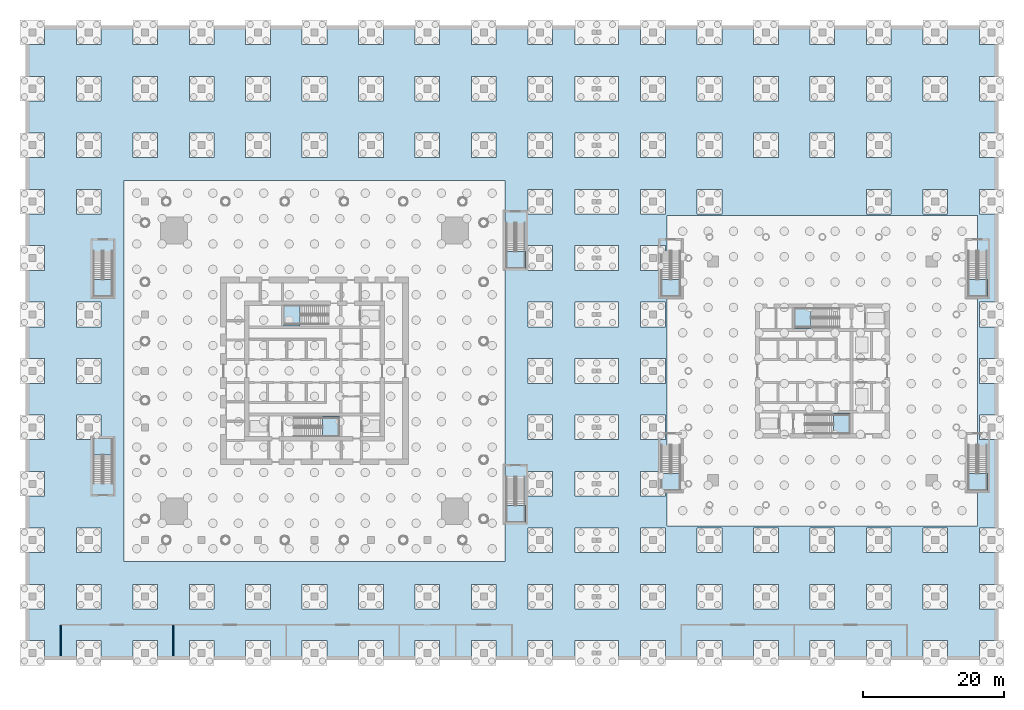
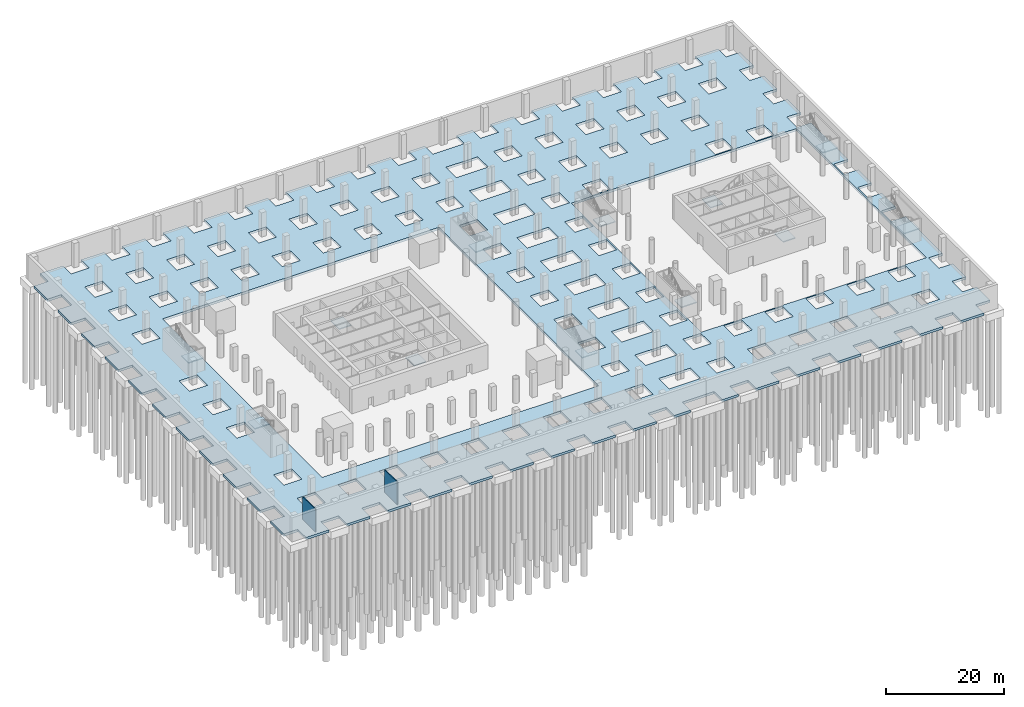
# One storey, part 9 of 24: 13 slabs, 2 walls, 12 elements without a shape of their own.
"""IFC4 building model written with IfcOpenShell, lengths in metres."""

import ifcopenshell
import ifcopenshell.guid

model = None  # the IFC model being written
_history = None  # IfcOwnerHistory: only IFC2X3 demands one
_inside = {}  # id of a spatial element -> (the spatial element, [elements in it])
_under = {}  # id of a project, library or spatial element -> (it, [spatial elements below it])
_declared = {}  # id of a project -> (the project, [libraries it declares])
_typed = {}  # id of a type object -> (the type object, [elements of that type])
_made_of = {}  # id of a material, layer set ... -> (it, [elements and type objects made of it])


def new_model(schema):
    """Start an empty IFC model of exactly this schema.

    Asked for "IFC4X3", IfcOpenShell would pick the latest addendum, in which some entities
    have other attributes; the version numbers below select the first issue.
    IFC2X3 requires an IfcOwnerHistory on every rooted entity: one is made here for all.
    """
    global model, _history
    if schema == "IFC4X3":
        model = ifcopenshell.file(schema_version=(4, 3, 0, 0))
    else:
        model = ifcopenshell.file(schema=schema)
    _inside.clear()
    _under.clear()
    _declared.clear()
    _typed.clear()
    _made_of.clear()
    _history = None
    if model.schema == "IFC2X3":
        org = make("IfcOrganization", Name="unknown")
        user = make(
            "IfcPersonAndOrganization",
            ThePerson=make("IfcPerson", FamilyName="unknown"),
            TheOrganization=org,
        )
        app = make(
            "IfcApplication",
            ApplicationDeveloper=org,
            Version="unknown",
            ApplicationFullName="unknown",
            ApplicationIdentifier="unknown",
        )
        _history = make(
            "IfcOwnerHistory",
            OwningUser=user,
            OwningApplication=app,
            ChangeAction="ADDED",
            CreationDate=0,
        )
    return model


def make(cls, **values):
    """One entity of the class cls with the attributes given. An attribute that is None is left unset."""
    return model.create_entity(
        cls, **{name: value for name, value in values.items() if value is not None}
    )


def rooted(cls, **values):
    """An entity with a GlobalId (a new one), such as an element, a storey or a relation."""
    return make(cls, GlobalId=ifcopenshell.guid.new(), OwnerHistory=_history, **values)


def si_unit(unit_type, name, prefix=None):
    """IfcSIUnit, for example si_unit("LENGTHUNIT", "METRE", prefix="MILLI")."""
    return make("IfcSIUnit", UnitType=unit_type, Prefix=prefix, Name=name)


def assignment(units):
    """IfcUnitAssignment: the units of a project."""
    return None if units is None else make("IfcUnitAssignment", Units=units)


def point(xyz):
    """IfcCartesianPoint."""
    return None if xyz is None else make("IfcCartesianPoint", Coordinates=xyz)


def direction(xyz):
    """IfcDirection."""
    return None if xyz is None else make("IfcDirection", DirectionRatios=xyz)


def frame(location, z_axis=None, x_axis=None):
    """IfcAxis2Placement3D, a coordinate frame: its origin and axes. An axis left out is left unset."""
    return make(
        "IfcAxis2Placement3D",
        Location=point(location),
        Axis=direction(z_axis),
        RefDirection=direction(x_axis),
    )


def frame_2d(location, x_axis=None):
    """IfcAxis2Placement2D, a coordinate frame in the plane: its origin and x axis."""
    return make(
        "IfcAxis2Placement2D", Location=point(location), RefDirection=direction(x_axis)
    )


def origin():
    """The frame at (0, 0, 0) with its axes left unset."""
    return frame((0.0, 0.0, 0.0))


def place(relative_to, where):
    """IfcLocalPlacement: puts the frame where relative to a parent placement (None: the world)."""
    return make(
        "IfcLocalPlacement", PlacementRelTo=relative_to, RelativePlacement=where
    )


def context(
    kind, dimensions, precision=None, world=None, true_north=None, identifier=None
):
    """IfcGeometricRepresentationContext, for example the 3D "Model" context."""
    return make(
        "IfcGeometricRepresentationContext",
        ContextIdentifier=identifier,
        ContextType=kind,
        CoordinateSpaceDimension=dimensions,
        Precision=precision,
        WorldCoordinateSystem=world,
        TrueNorth=true_north,
    )


def subcontext(parent, identifier, kind, view, scale=None):
    """IfcGeometricRepresentationSubContext, for example "Body" below "Model"."""
    return make(
        "IfcGeometricRepresentationSubContext",
        ContextIdentifier=identifier,
        ContextType=kind,
        ParentContext=parent,
        TargetScale=scale,
        TargetView=view,
    )


def project(units=None, contexts=None):
    """IfcProject with its units and contexts."""
    return rooted(
        "IfcProject",
        Name="project",
        RepresentationContexts=contexts,
        UnitsInContext=assignment(units),
    )


def spatial(cls, under=None, at=None, **own):
    """A site, building, storey or space (cls), placed at a placement, below another one or the project."""
    s = rooted(cls, ObjectPlacement=at, **own)
    if under is not None:
        _under.setdefault(under.id(), (under, []))[1].append(s)
    return s


def polyline(points):
    """IfcPolyline through the points."""
    return make("IfcPolyline", Points=[point(p) for p in points])


def profile(cls, at=None, kind="AREA", **sizes):
    """A parametric profile (cls). Its sizes go by their IFC names, for example OverallWidth=200.0."""
    return make(cls, ProfileType=kind, Position=at, **sizes)


def rectangle(**sizes):
    """IfcRectangleProfileDef."""
    return profile("IfcRectangleProfileDef", **sizes)


def outline(outer, holes=None, kind="AREA"):
    """IfcArbitraryClosedProfileDef: a profile drawn as a closed curve; with holes, ...WithVoids."""
    if holes is None:
        return make("IfcArbitraryClosedProfileDef", ProfileType=kind, OuterCurve=outer)
    return make(
        "IfcArbitraryProfileDefWithVoids",
        ProfileType=kind,
        OuterCurve=outer,
        InnerCurves=holes,
    )


def extrude(swept, where, along, depth):
    """IfcExtrudedAreaSolid: the profile swept, set in the frame where, extruded along a direction by depth."""
    return make(
        "IfcExtrudedAreaSolid",
        SweptArea=swept,
        Position=where,
        ExtrudedDirection=direction(along),
        Depth=depth,
    )


def shape(context_of_items, identifier, shape_type, items):
    """IfcShapeRepresentation: the items that make up one representation, for example the "Body"."""
    return make(
        "IfcShapeRepresentation",
        ContextOfItems=context_of_items,
        RepresentationIdentifier=identifier,
        RepresentationType=shape_type,
        Items=items,
    )


def material(Name=None, Category=None):
    """IfcMaterial."""
    return make("IfcMaterial", Name=Name, Category=Category)


def layer(
    of_material, thickness, ventilated=None, Name=None, Category=None, Priority=None
):
    """IfcMaterialLayer: one layer of a wall or slab, of a material (None: an air gap)."""
    return make(
        "IfcMaterialLayer",
        Material=of_material,
        LayerThickness=thickness,
        IsVentilated=ventilated,
        Name=Name,
        Category=Category,
        Priority=Priority,
    )


def layer_set(layers, Name=None):
    """IfcMaterialLayerSet."""
    return make("IfcMaterialLayerSet", MaterialLayers=layers, LayerSetName=Name)


def made_of(thing, what):
    """Note that an element or type object is made of a material, layer set ...; save() writes the relation."""
    if what is not None:
        _made_of.setdefault(what.id(), (what, []))[1].append(thing)
    return thing


def type_object(cls, material=None, **own):
    """A type object (cls), such as IfcWallType, which elements share."""
    return made_of(rooted(cls, **own), material)


def element(
    cls,
    number,
    at=None,
    inside=None,
    cuts=None,
    type_object=None,
    material=None,
    context=None,
    identifier="Body",
    shape_type=None,
    held_by="IfcProductDefinitionShape",
    body=None,
    shapes=None,
    **own,
):
    """One element of the class cls, such as IfcWall. Its Tag is "e" and its number.

    at: its placement. inside: the storey or other place that contains it. cuts: it is an
    opening in that element (IfcRelVoidsElement). A single representation is given by context,
    identifier, shape_type and body (its items); several are given by shapes. held_by: the class
    of the entity that holds the representations. save() writes the other relations.
    """
    e = rooted(cls, Tag="e%d" % number, ObjectPlacement=at, **own)
    if body is not None:
        shapes = [shape(context, identifier, shape_type, body)]
    if shapes is not None:
        e.Representation = make(held_by, Representations=shapes)
    if inside is not None:
        _inside.setdefault(inside.id(), (inside, []))[1].append(e)
    if cuts is not None:
        rooted(
            "IfcRelVoidsElement", RelatingBuildingElement=cuts, RelatedOpeningElement=e
        )
    if type_object is not None:
        _typed.setdefault(type_object.id(), (type_object, []))[1].append(e)
    return made_of(e, material)


def aggregate(whole, parts):
    """IfcRelAggregates: a whole, such as a stair, and the parts it consists of."""
    return rooted("IfcRelAggregates", RelatingObject=whole, RelatedObjects=parts)


def save(model, path):
    """Write the relations noted so far, then the file.

    IfcRelAggregates (storeys below a building ...), IfcRelContainedInSpatialStructure (elements
    in a storey), IfcRelDefinesByType, IfcRelAssociatesMaterial and IfcRelDeclares: one each for
    every whole, place, type object, material and project.
    """
    for whole, parts in _under.values():
        aggregate(whole, parts)
    for where, things in _inside.values():
        rooted(
            "IfcRelContainedInSpatialStructure",
            RelatedElements=things,
            RelatingStructure=where,
        )
    for kind, things in _typed.values():
        rooted("IfcRelDefinesByType", RelatedObjects=things, RelatingType=kind)
    for what, things in _made_of.values():
        rooted("IfcRelAssociatesMaterial", RelatedObjects=things, RelatingMaterial=what)
    for by, libraries in _declared.values():
        rooted("IfcRelDeclares", RelatingContext=by, RelatedDefinitions=libraries)
    model.write(path)


model = new_model("IFC4")

# Units and contexts
model_context = context("Model", 3, precision=1e-05, world=origin(), true_north=direction((0.0, 1.0)))
body_context = subcontext(model_context, "Body", "Model", "MODEL_VIEW")
ifc_project = project(units=[si_unit("LENGTHUNIT", "METRE"), si_unit("AREAUNIT", "SQUARE_METRE"), si_unit("VOLUMEUNIT", "CUBIC_METRE"), si_unit("PLANEANGLEUNIT", "RADIAN"), si_unit("MASSUNIT", "GRAM", prefix="KILO")], contexts=[model_context])

# Site, building, storey
site_placement = place(None, origin())
site = spatial("IfcSite", under=ifc_project, at=site_placement, CompositionType="ELEMENT")
building_placement = place(site_placement, origin())
building = spatial("IfcBuilding", under=site, at=building_placement, Name="Ostroluk Exchange", CompositionType="ELEMENT")
storey_placement = place(building_placement, frame((0.0, 0.0, -10.0)))
storey = spatial("IfcBuildingStorey", under=building, at=storey_placement, Name="B2", CompositionType="ELEMENT", Elevation=-10.0)

# Slab
ifc_material_1 = material(Name="Concrete C35/45", Category="concrete")
ifc_layer_1 = layer(ifc_material_1, 0.5)
ifc_layer_set_1 = layer_set([ifc_layer_1], Name="Base slab 500")
slab_type_1 = type_object("IfcSlabType", Name="Base slab 500", PredefinedType="BASESLAB", material=ifc_layer_set_1)
slab_1_placement = place(storey_placement, frame((0.0, 0.0, -0.5)))
element("IfcSlab", 1, at=slab_1_placement, inside=storey, type_object=slab_type_1, Name="Podium slab B2", PredefinedType="BASESLAB", context=body_context, shape_type="SweptSolid", body=[
    extrude(outline(polyline([(6.75, 5.0), (6.75, 7.75), (4.0, 7.75), (4.0, 12.25), (6.75, 12.25), (6.75, 15.75), (4.0, 15.75), (4.0, 20.25), (6.75, 20.25), (6.75, 23.75), (4.0, 23.75), (4.0, 28.25), (6.75, 28.25), (6.75, 31.75), (4.0, 31.75), (4.0, 36.25), (6.75, 36.25), (6.75, 39.75), (4.0, 39.75), (4.0, 44.25), (6.75, 44.25), (6.75, 47.75), (4.0, 47.75), (4.0, 52.25), (6.75, 52.25), (6.75, 55.75), (4.0, 55.75), (4.0, 60.25), (6.75, 60.25), (6.75, 63.75), (4.0, 63.75), (4.0, 68.25), (6.75, 68.25), (6.75, 71.75), (4.0, 71.75), (4.0, 76.25), (6.75, 76.25), (6.75, 79.75), (4.0, 79.75), (4.0, 84.25), (6.75, 84.25), (6.75, 87.75), (4.0, 87.75), (4.0, 92.25), (6.75, 92.25), (6.75, 95.0), (11.25, 95.0), (11.25, 92.25), (14.75, 92.25), (14.75, 95.0), (19.25, 95.0), (19.25, 92.25), (22.75, 92.25), (22.75, 95.0), (27.25, 95.0), (27.25, 92.25), (30.75, 92.25), (30.75, 95.0), (35.25, 95.0), (35.25, 92.25), (38.75, 92.25), (38.75, 95.0), (43.25, 95.0), (43.25, 92.25), (46.75, 92.25), (46.75, 95.0), (51.25, 95.0), (51.25, 92.25), (54.75, 92.25), (54.75, 95.0), (59.25, 95.0), (59.25, 92.25), (62.75, 92.25), (62.75, 95.0), (67.25, 95.0), (67.25, 92.25), (70.75, 92.25), (70.75, 95.0), (75.25, 95.0), (75.25, 92.25), (78.75, 92.25), (78.75, 95.0), (81.89990234375, 95.0), (81.89990234375, 92.25), (88.10009765625, 92.25), (88.10009765625, 95.0), (91.25, 95.0), (91.25, 92.25), (94.75, 92.25), (94.75, 95.0), (99.25, 95.0), (99.25, 92.25), (102.75, 92.25), (102.75, 95.0), (107.25, 95.0), (107.25, 92.25), (110.75, 92.25), (110.75, 95.0), (115.25, 95.0), (115.25, 92.25), (118.75, 92.25), (118.75, 95.0), (123.25, 95.0), (123.25, 92.25), (126.75, 92.25), (126.75, 95.0), (131.25, 95.0), (131.25, 92.25), (134.75, 92.25), (134.75, 95.0), (139.25, 95.0), (139.25, 92.25), (142.0, 92.25), (142.0, 87.75), (139.25, 87.75), (139.25, 84.25), (142.0, 84.25), (142.0, 79.75), (139.25, 79.75), (139.25, 76.25), (142.0, 76.25), (142.0, 71.75), (139.25, 71.75), (139.25, 68.25), (142.0, 68.25), (142.0, 55.75), (139.25, 55.75), (139.25, 52.25), (142.0, 52.25), (142.0, 47.75), (139.25, 47.75), (139.25, 44.25), (142.0, 44.25), (142.0, 39.75), (139.25, 39.75), (139.25, 36.25), (142.0, 36.25), (142.0, 23.75), (139.25, 23.75), (139.25, 20.25), (142.0, 20.25), (142.0, 15.75), (139.25, 15.75), (139.25, 12.25), (142.0, 12.25), (142.0, 7.75), (139.25, 7.75), (139.25, 5.0), (134.75, 5.0), (134.75, 7.75), (131.25, 7.75), (131.25, 5.0), (126.75, 5.0), (126.75, 7.75), (123.25, 7.75), (123.25, 5.0), (118.75, 5.0), (118.75, 7.75), (115.25, 7.75), (115.25, 5.0), (110.75, 5.0), (110.75, 7.75), (107.25, 7.75), (107.25, 5.0), (102.75, 5.0), (102.75, 7.75), (99.25, 7.75), (99.25, 5.0), (94.75, 5.0), (94.75, 7.75), (91.25, 7.75), (91.25, 5.0), (88.10009765625, 5.0), (88.10009765625, 7.75), (81.89990234375, 7.75), (81.89990234375, 5.0), (78.75, 5.0), (78.75, 7.75), (75.25, 7.75), (75.25, 5.0), (70.75, 5.0), (70.75, 7.75), (67.25, 7.75), (67.25, 5.0), (62.75, 5.0), (62.75, 7.75), (59.25, 7.75), (59.25, 5.0), (54.75, 5.0), (54.75, 7.75), (51.25, 7.75), (51.25, 5.0), (46.75, 5.0), (46.75, 7.75), (43.25, 7.75), (43.25, 5.0), (38.75, 5.0), (38.75, 7.75), (35.25, 7.75), (35.25, 5.0), (30.75, 5.0), (30.75, 7.75), (27.25, 7.75), (27.25, 5.0), (22.75, 5.0), (22.75, 7.75), (19.25, 7.75), (19.25, 5.0), (14.75, 5.0), (14.75, 7.75), (11.25, 7.75), (11.25, 5.0), (6.75, 5.0)]), holes=[polyline([(72.0, 19.0), (72.0, 73.0), (18.0, 73.0), (18.0, 19.0), (72.0, 19.0)]), polyline([(95.0, 24.0), (139.0, 24.0), (139.0, 68.0), (95.0, 68.0), (95.0, 24.0)]), polyline([(11.25, 15.75), (11.25, 12.25), (14.75, 12.25), (14.75, 15.75), (11.25, 15.75)]), polyline([(14.75, 23.75), (11.25, 23.75), (11.25, 20.25), (14.75, 20.25), (14.75, 23.75)]), polyline([(14.75, 36.25), (14.75, 39.75), (11.25, 39.75), (11.25, 36.25), (14.75, 36.25)]), polyline([(11.25, 44.25), (14.75, 44.25), (14.75, 47.75), (11.25, 47.75), (11.25, 44.25)]), polyline([(11.25, 55.75), (11.25, 52.25), (14.75, 52.25), (14.75, 55.75), (11.25, 55.75)]), polyline([(14.75, 71.75), (11.25, 71.75), (11.25, 68.25), (14.75, 68.25), (14.75, 71.75)]), polyline([(14.75, 76.25), (14.75, 79.75), (11.25, 79.75), (11.25, 76.25), (14.75, 76.25)]), polyline([(11.25, 84.25), (14.75, 84.25), (14.75, 87.75), (11.25, 87.75), (11.25, 84.25)]), polyline([(22.75, 12.25), (22.75, 15.75), (19.25, 15.75), (19.25, 12.25), (22.75, 12.25)]), polyline([(19.25, 76.25), (22.75, 76.25), (22.75, 79.75), (19.25, 79.75), (19.25, 76.25)]), polyline([(19.25, 87.75), (19.25, 84.25), (22.75, 84.25), (22.75, 87.75), (19.25, 87.75)]), polyline([(27.25, 12.25), (30.75, 12.25), (30.75, 15.75), (27.25, 15.75), (27.25, 12.25)]), polyline([(27.25, 79.75), (27.25, 76.25), (30.75, 76.25), (30.75, 79.75), (27.25, 79.75)]), polyline([(30.75, 87.75), (27.25, 87.75), (27.25, 84.25), (30.75, 84.25), (30.75, 87.75)]), polyline([(35.25, 15.75), (35.25, 12.25), (38.75, 12.25), (38.75, 15.75), (35.25, 15.75)]), polyline([(38.75, 79.75), (35.25, 79.75), (35.25, 76.25), (38.75, 76.25), (38.75, 79.75)]), polyline([(38.75, 84.25), (38.75, 87.75), (35.25, 87.75), (35.25, 84.25), (38.75, 84.25)]), polyline([(46.75, 15.75), (43.25, 15.75), (43.25, 12.25), (46.75, 12.25), (46.75, 15.75)]), polyline([(46.75, 76.25), (46.75, 79.75), (43.25, 79.75), (43.25, 76.25), (46.75, 76.25)]), polyline([(43.25, 84.25), (46.75, 84.25), (46.75, 87.75), (43.25, 87.75), (43.25, 84.25)]), polyline([(54.75, 12.25), (54.75, 15.75), (51.25, 15.75), (51.25, 12.25), (54.75, 12.25)]), polyline([(51.25, 76.25), (54.75, 76.25), (54.75, 79.75), (51.25, 79.75), (51.25, 76.25)]), polyline([(51.25, 87.75), (51.25, 84.25), (54.75, 84.25), (54.75, 87.75), (51.25, 87.75)]), polyline([(59.25, 12.25), (62.75, 12.25), (62.75, 15.75), (59.25, 15.75), (59.25, 12.25)]), polyline([(59.25, 79.75), (59.25, 76.25), (62.75, 76.25), (62.75, 79.75), (59.25, 79.75)]), polyline([(62.75, 87.75), (59.25, 87.75), (59.25, 84.25), (62.75, 84.25), (62.75, 87.75)]), polyline([(67.25, 15.75), (67.25, 12.25), (70.75, 12.25), (70.75, 15.75), (67.25, 15.75)]), polyline([(70.75, 79.75), (67.25, 79.75), (67.25, 76.25), (70.75, 76.25), (70.75, 79.75)]), polyline([(70.75, 84.25), (70.75, 87.75), (67.25, 87.75), (67.25, 84.25), (70.75, 84.25)]), polyline([(78.75, 15.75), (75.25, 15.75), (75.25, 12.25), (78.75, 12.25), (78.75, 15.75)]), polyline([(78.75, 20.25), (78.75, 23.75), (75.25, 23.75), (75.25, 20.25), (78.75, 20.25)]), polyline([(75.25, 28.25), (78.75, 28.25), (78.75, 31.75), (75.25, 31.75), (75.25, 28.25)]), polyline([(75.25, 39.75), (75.25, 36.25), (78.75, 36.25), (78.75, 39.75), (75.25, 39.75)]), polyline([(78.75, 47.75), (75.25, 47.75), (75.25, 44.25), (78.75, 44.25), (78.75, 47.75)]), polyline([(78.75, 52.25), (78.75, 55.75), (75.25, 55.75), (75.25, 52.25), (78.75, 52.25)]), polyline([(75.25, 60.25), (78.75, 60.25), (78.75, 63.75), (75.25, 63.75), (75.25, 60.25)]), polyline([(75.25, 71.75), (75.25, 68.25), (78.75, 68.25), (78.75, 71.75), (75.25, 71.75)]), polyline([(78.75, 79.75), (75.25, 79.75), (75.25, 76.25), (78.75, 76.25), (78.75, 79.75)]), polyline([(78.75, 84.25), (78.75, 87.75), (75.25, 87.75), (75.25, 84.25), (78.75, 84.25)]), polyline([(88.10009765625, 15.75), (81.89990234375, 15.75), (81.89990234375, 12.25), (88.10009765625, 12.25), (88.10009765625, 15.75)]), polyline([(88.10009765625, 20.25), (88.10009765625, 23.75), (81.89990234375, 23.75), (81.89990234375, 20.25), (88.10009765625, 20.25)]), polyline([(81.89990234375, 28.25), (88.10009765625, 28.25), (88.10009765625, 31.75), (81.89990234375, 31.75), (81.89990234375, 28.25)]), polyline([(81.89990234375, 39.75), (81.89990234375, 36.25), (88.10009765625, 36.25), (88.10009765625, 39.75), (81.89990234375, 39.75)]), polyline([(88.10009765625, 47.75), (81.89990234375, 47.75), (81.89990234375, 44.25), (88.10009765625, 44.25), (88.10009765625, 47.75)]), polyline([(88.10009765625, 52.25), (88.10009765625, 55.75), (81.89990234375, 55.75), (81.89990234375, 52.25), (88.10009765625, 52.25)]), polyline([(81.89990234375, 60.25), (88.10009765625, 60.25), (88.10009765625, 63.75), (81.89990234375, 63.75), (81.89990234375, 60.25)]), polyline([(81.89990234375, 71.75), (81.89990234375, 68.25), (88.10009765625, 68.25), (88.10009765625, 71.75), (81.89990234375, 71.75)]), polyline([(88.10009765625, 79.75), (81.89990234375, 79.75), (81.89990234375, 76.25), (88.10009765625, 76.25), (88.10009765625, 79.75)]), polyline([(88.10009765625, 84.25), (88.10009765625, 87.75), (81.89990234375, 87.75), (81.89990234375, 84.25), (88.10009765625, 84.25)]), polyline([(94.75, 15.75), (91.25, 15.75), (91.25, 12.25), (94.75, 12.25), (94.75, 15.75)]), polyline([(94.75, 20.25), (94.75, 23.75), (91.25, 23.75), (91.25, 20.25), (94.75, 20.25)]), polyline([(91.25, 28.25), (94.75, 28.25), (94.75, 31.75), (91.25, 31.75), (91.25, 28.25)]), polyline([(91.25, 39.75), (91.25, 36.25), (94.75, 36.25), (94.75, 39.75), (91.25, 39.75)]), polyline([(94.75, 47.75), (91.25, 47.75), (91.25, 44.25), (94.75, 44.25), (94.75, 47.75)]), polyline([(94.75, 52.25), (94.75, 55.75), (91.25, 55.75), (91.25, 52.25), (94.75, 52.25)]), polyline([(91.25, 60.25), (94.75, 60.25), (94.75, 63.75), (91.25, 63.75), (91.25, 60.25)]), polyline([(91.25, 71.75), (91.25, 68.25), (94.75, 68.25), (94.75, 71.75), (91.25, 71.75)]), polyline([(94.75, 79.75), (91.25, 79.75), (91.25, 76.25), (94.75, 76.25), (94.75, 79.75)]), polyline([(94.75, 84.25), (94.75, 87.75), (91.25, 87.75), (91.25, 84.25), (94.75, 84.25)]), polyline([(102.75, 15.75), (99.25, 15.75), (99.25, 12.25), (102.75, 12.25), (102.75, 15.75)]), polyline([(102.75, 20.25), (102.75, 23.75), (99.25, 23.75), (99.25, 20.25), (102.75, 20.25)]), polyline([(99.25, 68.25), (102.75, 68.25), (102.75, 71.75), (99.25, 71.75), (99.25, 68.25)]), polyline([(99.25, 79.75), (99.25, 76.25), (102.75, 76.25), (102.75, 79.75), (99.25, 79.75)]), polyline([(102.75, 87.75), (99.25, 87.75), (99.25, 84.25), (102.75, 84.25), (102.75, 87.75)]), polyline([(107.25, 15.75), (107.25, 12.25), (110.75, 12.25), (110.75, 15.75), (107.25, 15.75)]), polyline([(110.75, 23.75), (107.25, 23.75), (107.25, 20.25), (110.75, 20.25), (110.75, 23.75)]), polyline([(110.75, 76.25), (110.75, 79.75), (107.25, 79.75), (107.25, 76.25), (110.75, 76.25)]), polyline([(107.25, 84.25), (110.75, 84.25), (110.75, 87.75), (107.25, 87.75), (107.25, 84.25)]), polyline([(118.75, 12.25), (118.75, 15.75), (115.25, 15.75), (115.25, 12.25), (118.75, 12.25)]), polyline([(115.25, 20.25), (118.75, 20.25), (118.75, 23.75), (115.25, 23.75), (115.25, 20.25)]), polyline([(115.25, 79.75), (115.25, 76.25), (118.75, 76.25), (118.75, 79.75), (115.25, 79.75)]), polyline([(118.75, 87.75), (115.25, 87.75), (115.25, 84.25), (118.75, 84.25), (118.75, 87.75)]), polyline([(123.25, 15.75), (123.25, 12.25), (126.75, 12.25), (126.75, 15.75), (123.25, 15.75)]), polyline([(126.75, 23.75), (123.25, 23.75), (123.25, 20.25), (126.75, 20.25), (126.75, 23.75)]), polyline([(126.75, 68.25), (126.75, 71.75), (123.25, 71.75), (123.25, 68.25), (126.75, 68.25)]), polyline([(123.25, 76.25), (126.75, 76.25), (126.75, 79.75), (123.25, 79.75), (123.25, 76.25)]), polyline([(123.25, 87.75), (123.25, 84.25), (126.75, 84.25), (126.75, 87.75), (123.25, 87.75)]), polyline([(131.25, 12.25), (134.75, 12.25), (134.75, 15.75), (131.25, 15.75), (131.25, 12.25)]), polyline([(131.25, 23.75), (131.25, 20.25), (134.75, 20.25), (134.75, 23.75), (131.25, 23.75)]), polyline([(134.75, 71.75), (131.25, 71.75), (131.25, 68.25), (134.75, 68.25), (134.75, 71.75)]), polyline([(134.75, 84.25), (134.75, 87.75), (131.25, 87.75), (131.25, 84.25), (134.75, 84.25)])]), origin(), (0.0, 0.0, 1.0), 0.5),
])

# Stair, slab
ifc_material_2 = material(Name="Concrete C30/37", Category="concrete")
stair_type = type_object("IfcStairType", Name="Exit stair half turn 5000", PredefinedType="HALF_TURN_STAIR", material=ifc_material_2)
stair_1_placement = place(storey_placement, origin())
stair_1 = element("IfcStair", 2, at=stair_1_placement, inside=storey, type_object=stair_type, Name="Stair T1-S1 B2", PredefinedType="HALF_TURN_STAIR")
ifc_material_3 = material(Name="Concrete C30/37", Category="concrete")
ifc_layer_2 = layer(ifc_material_3, 0.199951171875)
ifc_layer_set_2 = layer_set([ifc_layer_2], Name="Stair landing 200")
slab_type_2 = type_object("IfcSlabType", Name="Stair landing 200", PredefinedType="LANDING", material=ifc_layer_set_2)
slab_2_placement = place(storey_placement, frame((0.0, 0.0, 2.300048828125)))
slab_2 = element("IfcSlab", 3, at=slab_2_placement, type_object=slab_type_2, Name="T1-S1 landing 1", PredefinedType="LANDING", context=body_context, shape_type="SweptSolid", body=[
    extrude(outline(polyline([(46.159912109375, 36.699951171875), (46.159912109375, 39.60009765625), (48.530029296875, 39.60009765625), (48.530029296875, 36.699951171875), (46.159912109375, 36.699951171875)])), origin(), (0.0, 0.0, 1.0), 0.199951171875),
])
aggregate(stair_1, [slab_2])

stair_2_placement = place(storey_placement, origin())
stair_2 = element("IfcStair", 4, at=stair_2_placement, inside=storey, type_object=stair_type, Name="Stair T1-S2 B2", PredefinedType="HALF_TURN_STAIR")
slab_3_placement = place(storey_placement, frame((0.0, 0.0, 2.300048828125)))
slab_3 = element("IfcSlab", 5, at=slab_3_placement, type_object=slab_type_2, Name="T1-S2 landing 1", PredefinedType="LANDING", context=body_context, shape_type="SweptSolid", body=[
    extrude(outline(polyline([(42.969970703125, 52.39990234375), (42.969970703125, 55.300048828125), (40.60009765625, 55.300048828125), (40.60009765625, 52.39990234375), (42.969970703125, 52.39990234375)])), origin(), (0.0, 0.0, 1.0), 0.199951171875),
])
aggregate(stair_2, [slab_3])

stair_3_placement = place(storey_placement, origin())
stair_3 = element("IfcStair", 6, at=stair_3_placement, inside=storey, type_object=stair_type, Name="Stair T2-S1 B2", PredefinedType="HALF_TURN_STAIR")
slab_4_placement = place(storey_placement, frame((0.0, 0.0, 2.300048828125)))
slab_4 = element("IfcSlab", 7, at=slab_4_placement, type_object=slab_type_2, Name="T2-S1 landing 1", PredefinedType="LANDING", context=body_context, shape_type="SweptSolid", body=[
    extrude(outline(polyline([(118.56005859375, 37.10009765625), (118.56005859375, 40.0), (120.929931640625, 40.0), (120.929931640625, 37.10009765625), (118.56005859375, 37.10009765625)])), origin(), (0.0, 0.0, 1.0), 0.199951171875),
])
aggregate(stair_3, [slab_4])

stair_4_placement = place(storey_placement, origin())
stair_4 = element("IfcStair", 8, at=stair_4_placement, inside=storey, type_object=stair_type, Name="Stair T2-S2 B2", PredefinedType="HALF_TURN_STAIR")
slab_5_placement = place(storey_placement, frame((0.0, 0.0, 2.300048828125)))
slab_5 = element("IfcSlab", 9, at=slab_5_placement, type_object=slab_type_2, Name="T2-S2 landing 1", PredefinedType="LANDING", context=body_context, shape_type="SweptSolid", body=[
    extrude(outline(polyline([(115.3701171875, 52.0), (115.3701171875, 54.89990234375), (113.0, 54.89990234375), (113.0, 52.0), (115.3701171875, 52.0)])), origin(), (0.0, 0.0, 1.0), 0.199951171875),
])
aggregate(stair_4, [slab_5])

stair_5_placement = place(storey_placement, origin())
stair_5 = element("IfcStair", 10, at=stair_5_placement, inside=storey, type_object=stair_type, Name="Stair PS1 B2", PredefinedType="HALF_TURN_STAIR")
slab_6_placement = place(storey_placement, frame((0.0, 0.0, 2.300048828125)))
slab_6 = element("IfcSlab", 11, at=slab_6_placement, type_object=slab_type_2, Name="PS1 landing 1", PredefinedType="LANDING", context=body_context, shape_type="SweptSolid", body=[
    extrude(outline(polyline([(13.5, 34.06005859375), (16.5, 34.06005859375), (16.5, 36.5), (13.5, 36.5), (13.5, 34.06005859375)])), origin(), (0.0, 0.0, 1.0), 0.199951171875),
])
aggregate(stair_5, [slab_6])

stair_6_placement = place(storey_placement, origin())
stair_6 = element("IfcStair", 12, at=stair_6_placement, inside=storey, type_object=stair_type, Name="Stair PS2 B2", PredefinedType="HALF_TURN_STAIR")
slab_7_placement = place(storey_placement, frame((0.0, 0.0, 2.300048828125)))
slab_7 = element("IfcSlab", 13, at=slab_7_placement, type_object=slab_type_2, Name="PS2 landing 1", PredefinedType="LANDING", context=body_context, shape_type="SweptSolid", body=[
    extrude(outline(polyline([(13.5, 58.93994140625), (16.5, 58.93994140625), (16.5, 56.5), (13.5, 56.5), (13.5, 58.93994140625)])), origin(), (0.0, 0.0, 1.0), 0.199951171875),
])
aggregate(stair_6, [slab_7])

stair_7_placement = place(storey_placement, origin())
stair_7 = element("IfcStair", 14, at=stair_7_placement, inside=storey, type_object=stair_type, Name="Stair PS3 B2", PredefinedType="HALF_TURN_STAIR")
slab_8_placement = place(storey_placement, frame((0.0, 0.0, 2.300048828125)))
slab_8 = element("IfcSlab", 15, at=slab_8_placement, type_object=slab_type_2, Name="PS3 landing 1", PredefinedType="LANDING", context=body_context, shape_type="SweptSolid", body=[
    extrude(outline(polyline([(72.0, 26.93994140625), (75.0, 26.93994140625), (75.0, 24.5), (72.0, 24.5), (72.0, 26.93994140625)])), origin(), (0.0, 0.0, 1.0), 0.199951171875),
])
aggregate(stair_7, [slab_8])

stair_8_placement = place(storey_placement, origin())
stair_8 = element("IfcStair", 16, at=stair_8_placement, inside=storey, type_object=stair_type, Name="Stair PS4 B2", PredefinedType="HALF_TURN_STAIR")
slab_9_placement = place(storey_placement, frame((0.0, 0.0, 2.300048828125)))
slab_9 = element("IfcSlab", 17, at=slab_9_placement, type_object=slab_type_2, Name="PS4 landing 1", PredefinedType="LANDING", context=body_context, shape_type="SweptSolid", body=[
    extrude(outline(polyline([(72.0, 62.93994140625), (75.0, 62.93994140625), (75.0, 60.5), (72.0, 60.5), (72.0, 62.93994140625)])), origin(), (0.0, 0.0, 1.0), 0.199951171875),
])
aggregate(stair_8, [slab_9])

stair_9_placement = place(storey_placement, origin())
stair_9 = element("IfcStair", 18, at=stair_9_placement, inside=storey, type_object=stair_type, Name="Stair PS5 B2", PredefinedType="HALF_TURN_STAIR")
slab_10_placement = place(storey_placement, frame((0.0, 0.0, 2.300048828125)))
slab_10 = element("IfcSlab", 19, at=slab_10_placement, type_object=slab_type_2, Name="PS5 landing 1", PredefinedType="LANDING", context=body_context, shape_type="SweptSolid", body=[
    extrude(outline(polyline([(94.0, 31.43994140625), (97.0, 31.43994140625), (97.0, 29.0), (94.0, 29.0), (94.0, 31.43994140625)])), origin(), (0.0, 0.0, 1.0), 0.199951171875),
])
aggregate(stair_9, [slab_10])

stair_10_placement = place(storey_placement, origin())
stair_10 = element("IfcStair", 20, at=stair_10_placement, inside=storey, type_object=stair_type, Name="Stair PS6 B2", PredefinedType="HALF_TURN_STAIR")
slab_11_placement = place(storey_placement, frame((0.0, 0.0, 2.300048828125)))
slab_11 = element("IfcSlab", 21, at=slab_11_placement, type_object=slab_type_2, Name="PS6 landing 1", PredefinedType="LANDING", context=body_context, shape_type="SweptSolid", body=[
    extrude(outline(polyline([(94.0, 58.93994140625), (97.0, 58.93994140625), (97.0, 56.5), (94.0, 56.5), (94.0, 58.93994140625)])), origin(), (0.0, 0.0, 1.0), 0.199951171875),
])
aggregate(stair_10, [slab_11])

stair_11_placement = place(storey_placement, origin())
stair_11 = element("IfcStair", 22, at=stair_11_placement, inside=storey, type_object=stair_type, Name="Stair PS7 B2", PredefinedType="HALF_TURN_STAIR")
slab_12_placement = place(storey_placement, frame((0.0, 0.0, 2.300048828125)))
slab_12 = element("IfcSlab", 23, at=slab_12_placement, type_object=slab_type_2, Name="PS7 landing 1", PredefinedType="LANDING", context=body_context, shape_type="SweptSolid", body=[
    extrude(outline(polyline([(137.5, 31.43994140625), (140.5, 31.43994140625), (140.5, 29.0), (137.5, 29.0), (137.5, 31.43994140625)])), origin(), (0.0, 0.0, 1.0), 0.199951171875),
])
aggregate(stair_11, [slab_12])

stair_12_placement = place(storey_placement, origin())
stair_12 = element("IfcStair", 24, at=stair_12_placement, inside=storey, type_object=stair_type, Name="Stair PS8 B2", PredefinedType="HALF_TURN_STAIR")
slab_13_placement = place(storey_placement, frame((0.0, 0.0, 2.300048828125)))
slab_13 = element("IfcSlab", 25, at=slab_13_placement, type_object=slab_type_2, Name="PS8 landing 1", PredefinedType="LANDING", context=body_context, shape_type="SweptSolid", body=[
    extrude(outline(polyline([(137.5, 58.93994140625), (140.5, 58.93994140625), (140.5, 56.5), (137.5, 56.5), (137.5, 58.93994140625)])), origin(), (0.0, 0.0, 1.0), 0.199951171875),
])
aggregate(stair_12, [slab_13])

# Walls
ifc_material_4 = material(Name="Gypsum plasterboard partition", Category="gypsum")
ifc_layer_3 = layer(ifc_material_4, 0.14990234375)
ifc_layer_set_3 = layer_set([ifc_layer_3], Name="Plasterboard partition 150")
wall_type = type_object("IfcWallType", Name="Plasterboard partition 150", PredefinedType="PARTITIONING", material=ifc_layer_set_3)
for number, where, z_axis, x_axis, name in (
    (26, (9.0, 9.925048828125, 0.0), (0.0, 0.0, 1.0), (0.0, -1.0, 0.0), "Partition"),
    (27, (25.0, 9.925048828125, 0.0), (0.0, 0.0, 1.0), (0.0, -1.0, 0.0), "Partition"),
):
    element("IfcWall", number, at=place(storey_placement, frame(where, z_axis=z_axis, x_axis=x_axis)), inside=storey, type_object=wall_type, Name=name, PredefinedType="PARTITIONING", context=body_context, shape_type="SweptSolid", body=[
        extrude(rectangle(XDim=4.324951171875, YDim=0.14990234375, at=frame_2d((2.16259765625, 0.0))), origin(), (0.0, 0.0, 1.0), 4.699951171875),
    ])

save(model, "model.ifc")
